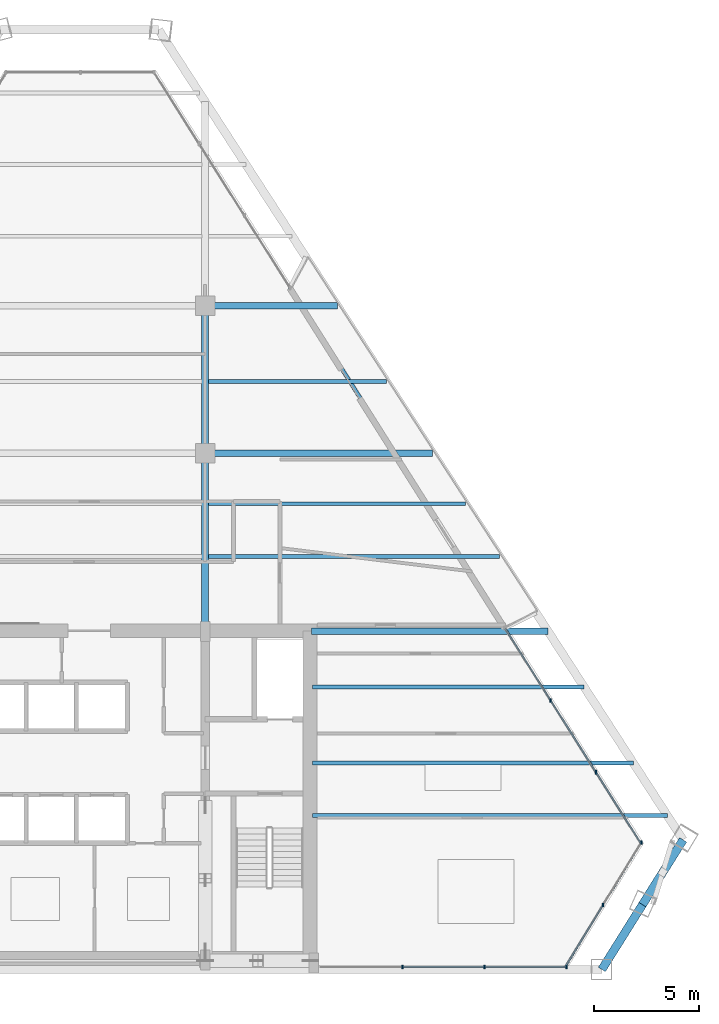
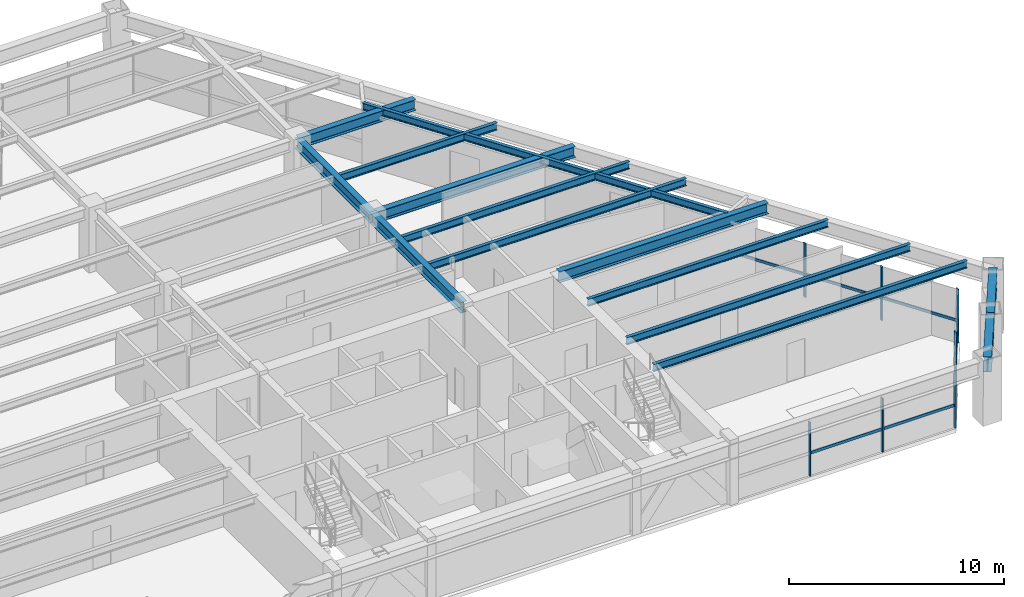
# One storey, part 4 of 13: 14 beams, 14 members, 3 elements without a shape of their own.
"""IFC4 building model written with IfcOpenShell, lengths in metres."""

from ifc_helpers import new_model, si_unit, direction, frame, origin, origin_2d, place, context, subcontext, project, spatial, rectangle, i_section, extrude, source, transform, mapped, material, material_profile, profile_set, type_object, type_shapes, element, aggregate, save


model = new_model("IFC4")

# Units and contexts
model_context = context("Model", 3, precision=1e-05, world=origin(), true_north=direction((0.0, 1.0)))
body_context = subcontext(model_context, "Body", "Model", "MODEL_VIEW")
ifc_project = project(units=[si_unit("LENGTHUNIT", "METRE"), si_unit("AREAUNIT", "SQUARE_METRE"), si_unit("VOLUMEUNIT", "CUBIC_METRE"), si_unit("PLANEANGLEUNIT", "RADIAN"), si_unit("MASSUNIT", "GRAM", prefix="KILO")], contexts=[model_context])

# Site, building, storey
site_placement = place(None, origin())
site = spatial("IfcSite", under=ifc_project, at=site_placement, CompositionType="ELEMENT")
building_placement = place(site_placement, origin())
building = spatial("IfcBuilding", under=site, at=building_placement, Name="Varnakhor Terracotta Tower", CompositionType="ELEMENT")
storey_placement = place(building_placement, frame((0.0, 0.0, 200.60009765625)))
storey = spatial("IfcBuildingStorey", under=building, at=storey_placement, Name="L51", CompositionType="ELEMENT", Elevation=200.60009765625)

# Beams
ifc_material_1 = material(Name="Steel S355", Category="steel")
ifc_material_profile_1 = material_profile(ifc_material_1, i_section(OverallWidth=0.324951171875, OverallDepth=0.615966796875, WebThickness=0.013916015625, FlangeThickness=0.02197265625, FilletRadius=0.01806640625, at=origin_2d()), Name="W24X117")
ifc_profile_set_1 = profile_set([ifc_material_profile_1], Name="Steel S355")
beam_type_1 = type_object("IfcBeamType", Name="BM-W24X117", PredefinedType="BEAM", material=ifc_profile_set_1)
shared_shape_1 = source(origin(), body_context, "Body", "SweptSolid", [
    extrude(i_section(OverallWidth=0.324951171875, OverallDepth=0.615966796875, WebThickness=0.013916015625, FlangeThickness=0.02197265625, FilletRadius=0.01806640625, at=origin_2d()), origin(), (0.0, 0.0, 1.0), 8.449951171875),
])
type_shapes(beam_type_1, [shared_shape_1])
beam_1_placement = place(storey_placement, frame((5.5, 16.050048828125, 3.161865234375), z_axis=(0.0, 1.0, 0.0), x_axis=(-1.0, 0.0, 0.0)))
element("IfcBeam", 1, at=beam_1_placement, inside=storey, type_object=beam_type_1, Name="L51 Primary Girder NS1-E", PredefinedType="BEAM", context=body_context, shape_type="MappedRepresentation", body=[
    mapped(shared_shape_1, transform((0.0, 0.0, 0.0), scale=1.0)),
])
shared_shape_2 = source(origin(), body_context, "Body", "SweptSolid", [
    extrude(i_section(OverallWidth=0.324951171875, OverallDepth=0.615966796875, WebThickness=0.013916015625, FlangeThickness=0.02197265625, FilletRadius=0.01806640625, at=origin_2d()), origin(), (0.0, 0.0, 1.0), 7.0),
])
beam_2_placement = place(storey_placement, frame((5.5, 24.5, 3.161865234375), z_axis=(0.0, 1.0, 0.0), x_axis=(-1.0, 0.0, 0.0)))
element("IfcBeam", 2, at=beam_2_placement, inside=storey, type_object=beam_type_1, Name="L51 Primary Girder NS2-E", PredefinedType="BEAM", context=body_context, shape_type="MappedRepresentation", body=[
    mapped(shared_shape_2, transform((0.0, 0.0, 0.0), scale=1.0)),
])
ifc_material_profile_2 = material_profile(ifc_material_1, i_section(OverallWidth=0.39990234375, OverallDepth=0.85498046875, WebThickness=0.01806640625, FlangeThickness=0.029052734375, FilletRadius=0.01806640625, at=origin_2d()), Name="W33X201")
ifc_profile_set_2 = profile_set([ifc_material_profile_2], Name="Steel S355")
beam_type_2 = type_object("IfcBeamType", Name="BM-W33X201", PredefinedType="BEAM", material=ifc_profile_set_2)
shared_shape_3 = source(origin(), body_context, "Body", "SweptSolid", [
    extrude(i_section(OverallWidth=0.39990234375, OverallDepth=0.85498046875, WebThickness=0.01806640625, FlangeThickness=0.029052734375, FilletRadius=0.01806640625, at=origin_2d()), origin(), (0.0, 0.0, 1.0), 3.62890625),
])
for number, where, z_axis, x_axis, name in (
    (3, (24.326416015625, 0.0, 3.04248046875), (0.531147444275, 0.847279406359, 0.0), (-0.847279406359, 0.531147444275, 0.0), "L51 Perimeter Spandrel 2"),
    (4, (26.25390625, 3.07470703125, 3.04248046875), (0.531099145119, 0.847309682497, 0.0), (-0.847309682497, 0.531099145119, 0.0), "L51 Perimeter Spandrel 3"),
):
    element("IfcBeam", number, at=place(storey_placement, frame(where, z_axis=z_axis, x_axis=x_axis)), inside=storey, type_object=beam_type_2, Name=name, PredefinedType="BEAM", context=body_context, shape_type="MappedRepresentation", body=[
        mapped(shared_shape_3, transform((0.0, 0.0, 0.0), scale=1.0)),
    ])
ifc_material_profile_3 = material_profile(ifc_material_1, i_section(OverallWidth=0.179931640625, OverallDepth=0.39990234375, WebThickness=0.008544921875, FlangeThickness=0.013427734375, FilletRadius=0.01806640625, at=origin_2d()), Name="IPE400")
ifc_profile_set_3 = profile_set([ifc_material_profile_3], Name="Steel S355")
beam_type_3 = type_object("IfcBeamType", Name="JST-IPE400", PredefinedType="JOIST", material=ifc_profile_set_3)
shared_shape_4 = source(origin(), body_context, "Body", "SweptSolid", [
    extrude(i_section(OverallWidth=0.179931640625, OverallDepth=0.39990234375, WebThickness=0.008544921875, FlangeThickness=0.013427734375, FilletRadius=0.01806640625, at=origin_2d()), origin(), (0.0, 0.0, 1.0), 19.147216796875),
])
beam_3_placement = place(storey_placement, frame((19.749267578125, 16.193603515625, 3.27001953125), z_axis=(-0.533466142651, 0.845821420067, 0.0), x_axis=(-0.845821420067, -0.533466142651, 0.0)))
element("IfcBeam", 5, at=beam_3_placement, inside=storey, type_object=beam_type_3, Name="L51 Loggia Edge Beam 1", PredefinedType="JOIST", context=body_context, shape_type="MappedRepresentation", body=[
    mapped(shared_shape_4, transform((0.0, 0.0, 0.0), scale=1.0)),
])
shared_shape_5 = source(origin(), body_context, "Body", "SweptSolid", [
    extrude(i_section(OverallWidth=0.324951171875, OverallDepth=0.615966796875, WebThickness=0.013916015625, FlangeThickness=0.02197265625, FilletRadius=0.01806640625, at=origin_2d()), origin(), (0.0, 0.0, 1.0), 11.221435546875),
])
beam_4_placement = place(storey_placement, frame((10.550048828125, 16.050048828125, 3.161865234375), z_axis=(1.0, 0.0, 0.0), x_axis=(0.0, 1.0, 0.0)))
element("IfcBeam", 6, at=beam_4_placement, inside=storey, type_object=beam_type_1, Name="L51 Wing Girder E", PredefinedType="BEAM", context=body_context, shape_type="MappedRepresentation", body=[
    mapped(shared_shape_5, transform((0.0, 0.0, 0.0), scale=1.0)),
])
shared_shape_6 = source(origin(), body_context, "Body", "SweptSolid", [
    extrude(i_section(OverallWidth=0.324951171875, OverallDepth=0.615966796875, WebThickness=0.013916015625, FlangeThickness=0.02197265625, FilletRadius=0.01806640625, at=origin_2d()), origin(), (0.0, 0.0, 1.0), 10.80078125),
])
beam_5_placement = place(storey_placement, frame((5.5, 24.5, 3.161865234375), z_axis=(1.0, 0.0, 0.0), x_axis=(0.0, 1.0, 0.0)))
element("IfcBeam", 7, at=beam_5_placement, inside=storey, type_object=beam_type_1, Name="L51 Primary Girder EW2-3", PredefinedType="BEAM", context=body_context, shape_type="MappedRepresentation", body=[
    mapped(shared_shape_6, transform((0.0, 0.0, 0.0), scale=1.0)),
])
shared_shape_7 = source(origin(), body_context, "Body", "SweptSolid", [
    extrude(i_section(OverallWidth=0.324951171875, OverallDepth=0.615966796875, WebThickness=0.013916015625, FlangeThickness=0.02197265625, FilletRadius=0.01806640625, at=origin_2d()), origin(), (0.0, 0.0, 1.0), 6.268798828125),
])
beam_6_placement = place(storey_placement, frame((5.5, 31.5, 3.161865234375), z_axis=(1.0, 0.0, 0.0), x_axis=(0.0, 1.0, 0.0)))
element("IfcBeam", 8, at=beam_6_placement, inside=storey, type_object=beam_type_1, Name="L51 Primary Girder EW3-3", PredefinedType="BEAM", context=body_context, shape_type="MappedRepresentation", body=[
    mapped(shared_shape_7, transform((0.0, 0.0, 0.0), scale=1.0)),
])
ifc_material_profile_4 = material_profile(ifc_material_1, i_section(OverallWidth=0.179931640625, OverallDepth=0.4130859375, WebThickness=0.009765625, FlangeThickness=0.01611328125, FilletRadius=0.01806640625, at=origin_2d()), Name="W16X50")
ifc_profile_set_4 = profile_set([ifc_material_profile_4], Name="Steel S355")
beam_type_4 = type_object("IfcBeamType", Name="JST-W16X50", PredefinedType="JOIST", material=ifc_profile_set_4)
shared_shape_8 = source(origin(), body_context, "Body", "SweptSolid", [
    extrude(i_section(OverallWidth=0.179931640625, OverallDepth=0.4130859375, WebThickness=0.009765625, FlangeThickness=0.01611328125, FilletRadius=0.01806640625, at=origin_2d()), origin(), (0.0, 0.0, 1.0), 16.836181640625),
])
beam_7_placement = place(storey_placement, frame((10.60009765625, 7.300048828125, 3.263427734375), z_axis=(1.0, 0.0, 0.0), x_axis=(0.0, 1.0, 0.0)))
element("IfcBeam", 9, at=beam_7_placement, inside=storey, type_object=beam_type_4, Name="L51 Floor Joist E1", PredefinedType="JOIST", context=body_context, shape_type="MappedRepresentation", body=[
    mapped(shared_shape_8, transform((0.0, 0.0, 0.0), scale=1.0)),
])
shared_shape_9 = source(origin(), body_context, "Body", "SweptSolid", [
    extrude(i_section(OverallWidth=0.179931640625, OverallDepth=0.4130859375, WebThickness=0.009765625, FlangeThickness=0.01611328125, FilletRadius=0.01806640625, at=origin_2d()), origin(), (0.0, 0.0, 1.0), 15.2177734375),
])
beam_8_placement = place(storey_placement, frame((10.60009765625, 9.800048828125, 3.263427734375), z_axis=(1.0, 0.0, 0.0), x_axis=(0.0, 1.0, 0.0)))
element("IfcBeam", 10, at=beam_8_placement, inside=storey, type_object=beam_type_4, Name="L51 Floor Joist E2", PredefinedType="JOIST", context=body_context, shape_type="MappedRepresentation", body=[
    mapped(shared_shape_9, transform((0.0, 0.0, 0.0), scale=1.0)),
])
shared_shape_10 = source(origin(), body_context, "Body", "SweptSolid", [
    extrude(i_section(OverallWidth=0.179931640625, OverallDepth=0.4130859375, WebThickness=0.009765625, FlangeThickness=0.01611328125, FilletRadius=0.01806640625, at=origin_2d()), origin(), (0.0, 0.0, 1.0), 12.886962890625),
])
beam_9_placement = place(storey_placement, frame((10.60009765625, 13.39990234375, 3.263427734375), z_axis=(1.0, 0.0, 0.0), x_axis=(0.0, 1.0, 0.0)))
element("IfcBeam", 11, at=beam_9_placement, inside=storey, type_object=beam_type_4, Name="L51 Floor Joist E3", PredefinedType="JOIST", context=body_context, shape_type="MappedRepresentation", body=[
    mapped(shared_shape_10, transform((0.0, 0.0, 0.0), scale=1.0)),
])
shared_shape_11 = source(origin(), body_context, "Body", "SweptSolid", [
    extrude(i_section(OverallWidth=0.179931640625, OverallDepth=0.4130859375, WebThickness=0.009765625, FlangeThickness=0.01611328125, FilletRadius=0.01806640625, at=origin_2d()), origin(), (0.0, 0.0, 1.0), 13.814697265625),
])
beam_10_placement = place(storey_placement, frame((5.658447265625, 19.60009765625, 3.263427734375), z_axis=(1.0, 0.0, 0.0), x_axis=(0.0, 1.0, 0.0)))
element("IfcBeam", 12, at=beam_10_placement, inside=storey, type_object=beam_type_4, Name="L51 Composite Floor Joist 4-3", PredefinedType="JOIST", context=body_context, shape_type="MappedRepresentation", body=[
    mapped(shared_shape_11, transform((0.0, 0.0, 0.0), scale=1.0)),
])
shared_shape_12 = source(origin(), body_context, "Body", "SweptSolid", [
    extrude(i_section(OverallWidth=0.179931640625, OverallDepth=0.4130859375, WebThickness=0.009765625, FlangeThickness=0.01611328125, FilletRadius=0.01806640625, at=origin_2d()), origin(), (0.0, 0.0, 1.0), 12.196044921875),
])
beam_11_placement = place(storey_placement, frame((5.658447265625, 22.10009765625, 3.263427734375), z_axis=(1.0, 0.0, 0.0), x_axis=(0.0, 1.0, 0.0)))
element("IfcBeam", 13, at=beam_11_placement, inside=storey, type_object=beam_type_4, Name="L51 Composite Floor Joist 5-3", PredefinedType="JOIST", context=body_context, shape_type="MappedRepresentation", body=[
    mapped(shared_shape_12, transform((0.0, 0.0, 0.0), scale=1.0)),
])
shared_shape_13 = source(origin(), body_context, "Body", "SweptSolid", [
    extrude(i_section(OverallWidth=0.179931640625, OverallDepth=0.4130859375, WebThickness=0.009765625, FlangeThickness=0.01611328125, FilletRadius=0.01806640625, at=origin_2d()), origin(), (0.0, 0.0, 1.0), 8.441162109375),
])
beam_12_placement = place(storey_placement, frame((5.658447265625, 27.89990234375, 3.263427734375), z_axis=(1.0, 0.0, 0.0), x_axis=(0.0, 1.0, 0.0)))
element("IfcBeam", 14, at=beam_12_placement, inside=storey, type_object=beam_type_4, Name="L51 Composite Floor Joist 6-3", PredefinedType="JOIST", context=body_context, shape_type="MappedRepresentation", body=[
    mapped(shared_shape_13, transform((0.0, 0.0, 0.0), scale=1.0)),
])

# Curtain wall, members
ifc_material_2 = material(Name="Anodised Aluminium Curtain Wall System", Category="aluminium")
curtain_wall_type = type_object("IfcCurtainWallType", Name="CW-SYS-MID-OFFICE", PredefinedType="NOTDEFINED", material=ifc_material_2)
curtain_wall_1_placement = place(storey_placement, origin())
curtain_wall_1 = element("IfcCurtainWall", 15, at=curtain_wall_1_placement, inside=storey, type_object=curtain_wall_type, Name="L51 E Facet Curtain Wall 2", PredefinedType="NOTDEFINED")
ifc_material_3 = material(Name="Anodised Aluminium 6063-T6", Category="aluminium")
ifc_material_profile_5 = material_profile(ifc_material_3, rectangle(XDim=0.070068359375, YDim=0.175048828125, at=origin_2d()), Name="ALU MULLION 70x175")
ifc_profile_set_5 = profile_set([ifc_material_profile_5], Name="Anodised Aluminium 6063-T6")
member_type_1 = type_object("IfcMemberType", Name="CWM-03", PredefinedType="MULLION", material=ifc_profile_set_5)
shared_shape_14 = source(origin(), body_context, "Body", "SweptSolid", [
    extrude(rectangle(XDim=0.070068359375, YDim=0.175048828125, at=origin_2d()), origin(), (0.0, 0.0, 1.0), 3.0498046875),
])
type_shapes(member_type_1, [shared_shape_14])
member_1_placement = place(storey_placement, frame((21.89599609375, 12.767333984375, 0.0), z_axis=(0.0, 0.0, 1.0), x_axis=(1.0, 0.0, 0.0)))
member_1 = element("IfcMember", 16, at=member_1_placement, type_object=member_type_1, Name="L51 E Facet Curtain Wall 2 Mullion 2", PredefinedType="MULLION", context=body_context, shape_type="MappedRepresentation", body=[
    mapped(shared_shape_14, transform((0.0, 0.0, 0.0), scale=1.0)),
])
member_2_placement = place(storey_placement, frame((24.0478515625, 9.359619140625, 0.0), z_axis=(0.0, 0.0, 1.0), x_axis=(1.0, 0.0, 0.0)))
member_2 = element("IfcMember", 17, at=member_2_placement, type_object=member_type_1, Name="L51 E Facet Curtain Wall 2 Mullion 3", PredefinedType="MULLION", context=body_context, shape_type="MappedRepresentation", body=[
    mapped(shared_shape_14, transform((0.0, 0.0, 0.0), scale=1.0)),
])

curtain_wall_2_placement = place(storey_placement, origin())
curtain_wall_2 = element("IfcCurtainWall", 18, at=curtain_wall_2_placement, inside=storey, type_object=curtain_wall_type, Name="L51 Facet Curtain Wall 4", PredefinedType="NOTDEFINED")
member_3_placement = place(storey_placement, frame((26.19921875, 6.027099609375, 0.0), z_axis=(0.0, 0.0, 1.0), x_axis=(1.0, 0.0, 0.0)))
member_3 = element("IfcMember", 19, at=member_3_placement, type_object=member_type_1, Name="L51 Facet Curtain Wall 4 Mullion 1", PredefinedType="MULLION", context=body_context, shape_type="MappedRepresentation", body=[
    mapped(shared_shape_14, transform((0.0, 0.0, 0.0), scale=1.0)),
])
member_4_placement = place(storey_placement, frame((24.383544921875, 3.0576171875, 0.0), z_axis=(0.0, 0.0, 1.0), x_axis=(1.0, 0.0, 0.0)))
member_4 = element("IfcMember", 20, at=member_4_placement, type_object=member_type_1, Name="L51 Facet Curtain Wall 4 Mullion 2", PredefinedType="MULLION", context=body_context, shape_type="MappedRepresentation", body=[
    mapped(shared_shape_14, transform((0.0, 0.0, 0.0), scale=1.0)),
])

curtain_wall_3_placement = place(storey_placement, origin())
curtain_wall_3 = element("IfcCurtainWall", 21, at=curtain_wall_3_placement, inside=storey, type_object=curtain_wall_type, Name="L51 South Wing Curtain Wall SSE", PredefinedType="NOTDEFINED")
member_5_placement = place(storey_placement, frame((22.644775390625, 0.1201171875, 0.0), z_axis=(0.0, 0.0, 1.0), x_axis=(1.0, 0.0, 0.0)))
member_5 = element("IfcMember", 22, at=member_5_placement, type_object=member_type_1, Name="L51 South Wing Curtain Wall SSE Mullion 1", PredefinedType="MULLION", context=body_context, shape_type="MappedRepresentation", body=[
    mapped(shared_shape_14, transform((0.0, 0.0, 0.0), scale=1.0)),
])
member_6_placement = place(storey_placement, frame((18.753173828125, 0.1201171875, 0.0), z_axis=(0.0, 0.0, 1.0), x_axis=(1.0, 0.0, 0.0)))
member_6 = element("IfcMember", 23, at=member_6_placement, type_object=member_type_1, Name="L51 South Wing Curtain Wall SSE Mullion 2", PredefinedType="MULLION", context=body_context, shape_type="MappedRepresentation", body=[
    mapped(shared_shape_14, transform((0.0, 0.0, 0.0), scale=1.0)),
])
member_7_placement = place(storey_placement, frame((14.861572265625, 0.1201171875, 0.0), z_axis=(0.0, 0.0, 1.0), x_axis=(1.0, 0.0, 0.0)))
member_7 = element("IfcMember", 24, at=member_7_placement, type_object=member_type_1, Name="L51 South Wing Curtain Wall SSE Mullion 3", PredefinedType="MULLION", context=body_context, shape_type="MappedRepresentation", body=[
    mapped(shared_shape_14, transform((0.0, 0.0, 0.0), scale=1.0)),
])

# Member
ifc_material_profile_6 = material_profile(ifc_material_3, rectangle(XDim=0.070068359375, YDim=0.155029296875, at=origin_2d()), Name="ALU TRANSOM 70x155")
ifc_profile_set_6 = profile_set([ifc_material_profile_6], Name="Anodised Aluminium 6063-T6")
member_type_2 = type_object("IfcMemberType", Name="CWT-03", PredefinedType="USERDEFINED", material=ifc_profile_set_6)
shared_shape_15 = source(origin(), body_context, "Body", "SweptSolid", [
    extrude(rectangle(XDim=0.070068359375, YDim=0.155029296875, at=origin_2d()), origin(), (0.0, 0.0, 1.0), 4.0302734375),
])
member_8_placement = place(storey_placement, frame((19.744384765625, 16.17529296875, 1.281005859375), z_axis=(0.533853959857, -0.84557669643, 0.0), x_axis=(0.84557669643, 0.533853959857, 0.0)))
member_8 = element("IfcMember", 25, at=member_8_placement, type_object=member_type_2, Name="L51 E Facet Curtain Wall 2 Transom 1", ObjectType="TRANSOM", PredefinedType="USERDEFINED", context=body_context, shape_type="MappedRepresentation", body=[
    mapped(shared_shape_15, transform((0.0, 0.0, 0.0), scale=1.0)),
])

member_9_placement = place(storey_placement, frame((21.89599609375, 12.767333984375, 1.281005859375), z_axis=(0.533924615738, -0.845532083784, 0.0), x_axis=(0.845532083784, 0.533924615738, 0.0)))
member_9 = element("IfcMember", 26, at=member_9_placement, type_object=member_type_2, Name="L51 E Facet Curtain Wall 2 Transom 2", ObjectType="TRANSOM", PredefinedType="USERDEFINED", context=body_context, shape_type="MappedRepresentation", body=[
    mapped(shared_shape_15, transform((0.0, 0.0, 0.0), scale=1.0)),
])

shared_shape_16 = source(origin(), body_context, "Body", "SweptSolid", [
    extrude(rectangle(XDim=0.070068359375, YDim=0.155029296875, at=origin_2d()), origin(), (0.0, 0.0, 1.0), 4.03076171875),
])
member_10_placement = place(storey_placement, frame((24.0478515625, 9.359619140625, 1.281005859375), z_axis=(0.533869925312, -0.845566616446, 0.0), x_axis=(0.845566616446, 0.533869925312, 0.0)))
member_10 = element("IfcMember", 27, at=member_10_placement, type_object=member_type_2, Name="L51 E Facet Curtain Wall 2 Transom 3", ObjectType="TRANSOM", PredefinedType="USERDEFINED", context=body_context, shape_type="MappedRepresentation", body=[
    mapped(shared_shape_16, transform((0.0, 0.0, 0.0), scale=1.0)),
])

aggregate(curtain_wall_1, [member_8, member_1, member_9, member_2, member_10])

shared_shape_17 = source(origin(), body_context, "Body", "SweptSolid", [
    extrude(rectangle(XDim=0.070068359375, YDim=0.155029296875, at=origin_2d()), origin(), (0.0, 0.0, 1.0), 3.48046875),
])
member_11_placement = place(storey_placement, frame((26.19921875, 6.027099609375, 1.281005859375), z_axis=(-0.521657114412, -0.853155234986, 0.0), x_axis=(0.853155234986, -0.521657114412, 0.0)))
member_11 = element("IfcMember", 28, at=member_11_placement, type_object=member_type_2, Name="L51 Facet Curtain Wall 4 Transom 1", ObjectType="TRANSOM", PredefinedType="USERDEFINED", context=body_context, shape_type="MappedRepresentation", body=[
    mapped(shared_shape_17, transform((0.0, 0.0, 0.0), scale=1.0)),
])

member_12_placement = place(storey_placement, frame((24.383544921875, 3.0576171875, 1.281005859375), z_axis=(-0.521606055999, -0.853186452275, 0.0), x_axis=(0.853186452275, -0.521606055999, 0.0)))
member_12 = element("IfcMember", 29, at=member_12_placement, type_object=member_type_2, Name="L51 Facet Curtain Wall 4 Transom 2", ObjectType="TRANSOM", PredefinedType="USERDEFINED", context=body_context, shape_type="MappedRepresentation", body=[
    mapped(shared_shape_17, transform((0.0, 0.0, 0.0), scale=1.0)),
])

aggregate(curtain_wall_2, [member_3, member_11, member_4, member_12])

shared_shape_18 = source(origin(), body_context, "Body", "SweptSolid", [
    extrude(rectangle(XDim=0.070068359375, YDim=0.155029296875, at=origin_2d()), origin(), (0.0, 0.0, 1.0), 3.8916015625),
])
member_13_placement = place(storey_placement, frame((22.644775390625, 0.1201171875, 1.281005859375), z_axis=(-1.0, 0.0, 0.0), x_axis=(0.0, -1.0, 0.0)))
member_13 = element("IfcMember", 30, at=member_13_placement, type_object=member_type_2, Name="L51 South Wing Curtain Wall SSE Transom 1", ObjectType="TRANSOM", PredefinedType="USERDEFINED", context=body_context, shape_type="MappedRepresentation", body=[
    mapped(shared_shape_18, transform((0.0, 0.0, 0.0), scale=1.0)),
])

member_14_placement = place(storey_placement, frame((18.753173828125, 0.1201171875, 1.281005859375), z_axis=(-1.0, 0.0, 0.0), x_axis=(0.0, -1.0, 0.0)))
member_14 = element("IfcMember", 31, at=member_14_placement, type_object=member_type_2, Name="L51 South Wing Curtain Wall SSE Transom 2", ObjectType="TRANSOM", PredefinedType="USERDEFINED", context=body_context, shape_type="MappedRepresentation", body=[
    mapped(shared_shape_18, transform((0.0, 0.0, 0.0), scale=1.0)),
])

aggregate(curtain_wall_3, [member_5, member_13, member_6, member_14, member_7])

save(model, "model.ifc")
